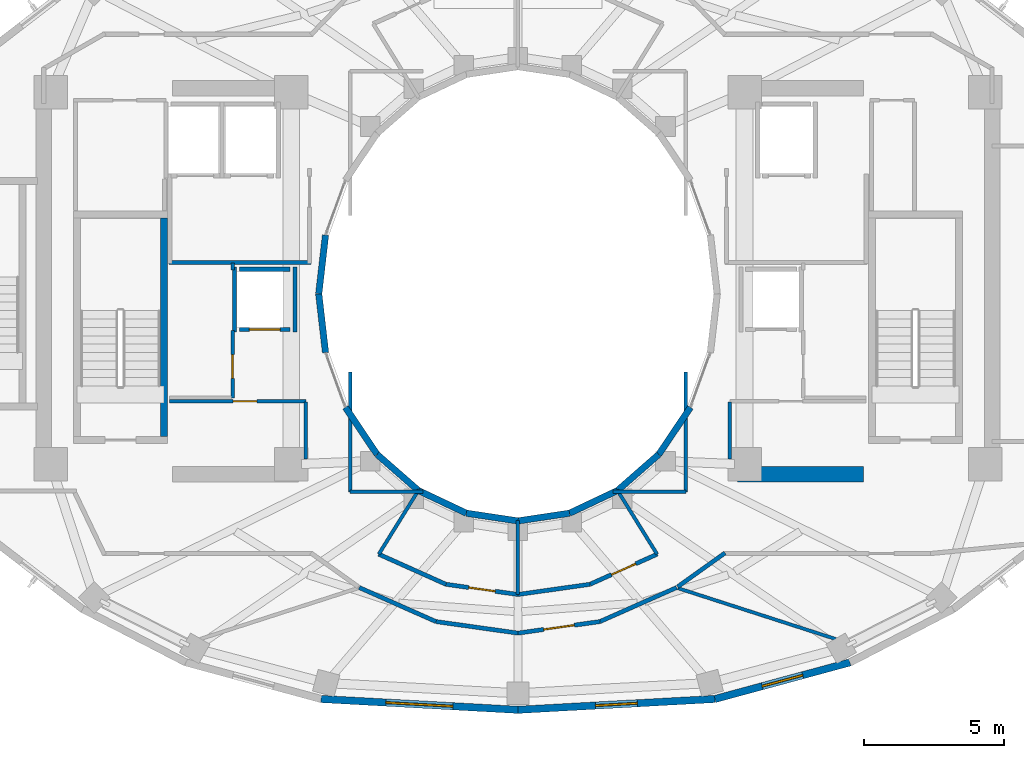
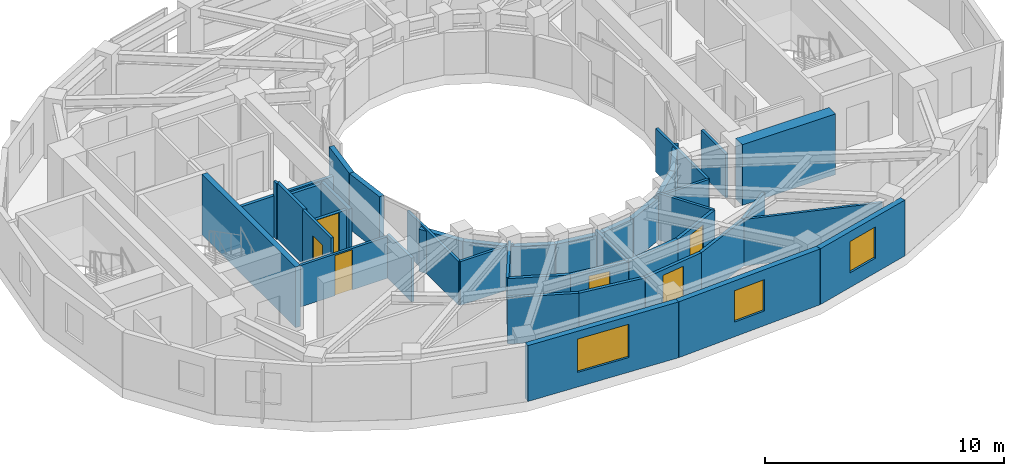
# One storey, part 13 of 19: 42 walls, 6 doors, 3 windows, 9 openings.
"""IFC4 building model written with IfcOpenShell, lengths in metres."""

import ifcopenshell
import ifcopenshell.guid

model = None  # the IFC model being written
_history = None  # IfcOwnerHistory: only IFC2X3 demands one
_inside = {}  # id of a spatial element -> (the spatial element, [elements in it])
_under = {}  # id of a project, library or spatial element -> (it, [spatial elements below it])
_declared = {}  # id of a project -> (the project, [libraries it declares])
_typed = {}  # id of a type object -> (the type object, [elements of that type])
_made_of = {}  # id of a material, layer set ... -> (it, [elements and type objects made of it])


def new_model(schema):
    """Start an empty IFC model of exactly this schema.

    Asked for "IFC4X3", IfcOpenShell would pick the latest addendum, in which some entities
    have other attributes; the version numbers below select the first issue.
    IFC2X3 requires an IfcOwnerHistory on every rooted entity: one is made here for all.
    """
    global model, _history
    if schema == "IFC4X3":
        model = ifcopenshell.file(schema_version=(4, 3, 0, 0))
    else:
        model = ifcopenshell.file(schema=schema)
    _inside.clear()
    _under.clear()
    _declared.clear()
    _typed.clear()
    _made_of.clear()
    _history = None
    if model.schema == "IFC2X3":
        org = make("IfcOrganization", Name="unknown")
        user = make(
            "IfcPersonAndOrganization",
            ThePerson=make("IfcPerson", FamilyName="unknown"),
            TheOrganization=org,
        )
        app = make(
            "IfcApplication",
            ApplicationDeveloper=org,
            Version="unknown",
            ApplicationFullName="unknown",
            ApplicationIdentifier="unknown",
        )
        _history = make(
            "IfcOwnerHistory",
            OwningUser=user,
            OwningApplication=app,
            ChangeAction="ADDED",
            CreationDate=0,
        )
    return model


def make(cls, **values):
    """One entity of the class cls with the attributes given. An attribute that is None is left unset."""
    return model.create_entity(
        cls, **{name: value for name, value in values.items() if value is not None}
    )


def rooted(cls, **values):
    """An entity with a GlobalId (a new one), such as an element, a storey or a relation."""
    return make(cls, GlobalId=ifcopenshell.guid.new(), OwnerHistory=_history, **values)


def si_unit(unit_type, name, prefix=None):
    """IfcSIUnit, for example si_unit("LENGTHUNIT", "METRE", prefix="MILLI")."""
    return make("IfcSIUnit", UnitType=unit_type, Prefix=prefix, Name=name)


def assignment(units):
    """IfcUnitAssignment: the units of a project."""
    return None if units is None else make("IfcUnitAssignment", Units=units)


def point(xyz):
    """IfcCartesianPoint."""
    return None if xyz is None else make("IfcCartesianPoint", Coordinates=xyz)


def direction(xyz):
    """IfcDirection."""
    return None if xyz is None else make("IfcDirection", DirectionRatios=xyz)


def frame(location, z_axis=None, x_axis=None):
    """IfcAxis2Placement3D, a coordinate frame: its origin and axes. An axis left out is left unset."""
    return make(
        "IfcAxis2Placement3D",
        Location=point(location),
        Axis=direction(z_axis),
        RefDirection=direction(x_axis),
    )


def frame_2d(location, x_axis=None):
    """IfcAxis2Placement2D, a coordinate frame in the plane: its origin and x axis."""
    return make(
        "IfcAxis2Placement2D", Location=point(location), RefDirection=direction(x_axis)
    )


def origin():
    """The frame at (0, 0, 0) with its axes left unset."""
    return frame((0.0, 0.0, 0.0))


def place(relative_to, where):
    """IfcLocalPlacement: puts the frame where relative to a parent placement (None: the world)."""
    return make(
        "IfcLocalPlacement", PlacementRelTo=relative_to, RelativePlacement=where
    )


def context(
    kind, dimensions, precision=None, world=None, true_north=None, identifier=None
):
    """IfcGeometricRepresentationContext, for example the 3D "Model" context."""
    return make(
        "IfcGeometricRepresentationContext",
        ContextIdentifier=identifier,
        ContextType=kind,
        CoordinateSpaceDimension=dimensions,
        Precision=precision,
        WorldCoordinateSystem=world,
        TrueNorth=true_north,
    )


def subcontext(parent, identifier, kind, view, scale=None):
    """IfcGeometricRepresentationSubContext, for example "Body" below "Model"."""
    return make(
        "IfcGeometricRepresentationSubContext",
        ContextIdentifier=identifier,
        ContextType=kind,
        ParentContext=parent,
        TargetScale=scale,
        TargetView=view,
    )


def project(units=None, contexts=None):
    """IfcProject with its units and contexts."""
    return rooted(
        "IfcProject",
        Name="project",
        RepresentationContexts=contexts,
        UnitsInContext=assignment(units),
    )


def spatial(cls, under=None, at=None, **own):
    """A site, building, storey or space (cls), placed at a placement, below another one or the project."""
    s = rooted(cls, ObjectPlacement=at, **own)
    if under is not None:
        _under.setdefault(under.id(), (under, []))[1].append(s)
    return s


def profile(cls, at=None, kind="AREA", **sizes):
    """A parametric profile (cls). Its sizes go by their IFC names, for example OverallWidth=200.0."""
    return make(cls, ProfileType=kind, Position=at, **sizes)


def rectangle(**sizes):
    """IfcRectangleProfileDef."""
    return profile("IfcRectangleProfileDef", **sizes)


def extrude(swept, where, along, depth):
    """IfcExtrudedAreaSolid: the profile swept, set in the frame where, extruded along a direction by depth."""
    return make(
        "IfcExtrudedAreaSolid",
        SweptArea=swept,
        Position=where,
        ExtrudedDirection=direction(along),
        Depth=depth,
    )


def shape(context_of_items, identifier, shape_type, items):
    """IfcShapeRepresentation: the items that make up one representation, for example the "Body"."""
    return make(
        "IfcShapeRepresentation",
        ContextOfItems=context_of_items,
        RepresentationIdentifier=identifier,
        RepresentationType=shape_type,
        Items=items,
    )


def material(Name=None, Category=None):
    """IfcMaterial."""
    return make("IfcMaterial", Name=Name, Category=Category)


def layer(
    of_material, thickness, ventilated=None, Name=None, Category=None, Priority=None
):
    """IfcMaterialLayer: one layer of a wall or slab, of a material (None: an air gap)."""
    return make(
        "IfcMaterialLayer",
        Material=of_material,
        LayerThickness=thickness,
        IsVentilated=ventilated,
        Name=Name,
        Category=Category,
        Priority=Priority,
    )


def layer_set(layers, Name=None):
    """IfcMaterialLayerSet."""
    return make("IfcMaterialLayerSet", MaterialLayers=layers, LayerSetName=Name)


def made_of(thing, what):
    """Note that an element or type object is made of a material, layer set ...; save() writes the relation."""
    if what is not None:
        _made_of.setdefault(what.id(), (what, []))[1].append(thing)
    return thing


def type_object(cls, material=None, **own):
    """A type object (cls), such as IfcWallType, which elements share."""
    return made_of(rooted(cls, **own), material)


def element(
    cls,
    number,
    at=None,
    inside=None,
    cuts=None,
    type_object=None,
    material=None,
    context=None,
    identifier="Body",
    shape_type=None,
    held_by="IfcProductDefinitionShape",
    body=None,
    shapes=None,
    **own,
):
    """One element of the class cls, such as IfcWall. Its Tag is "e" and its number.

    at: its placement. inside: the storey or other place that contains it. cuts: it is an
    opening in that element (IfcRelVoidsElement). A single representation is given by context,
    identifier, shape_type and body (its items); several are given by shapes. held_by: the class
    of the entity that holds the representations. save() writes the other relations.
    """
    e = rooted(cls, Tag="e%d" % number, ObjectPlacement=at, **own)
    if body is not None:
        shapes = [shape(context, identifier, shape_type, body)]
    if shapes is not None:
        e.Representation = make(held_by, Representations=shapes)
    if inside is not None:
        _inside.setdefault(inside.id(), (inside, []))[1].append(e)
    if cuts is not None:
        rooted(
            "IfcRelVoidsElement", RelatingBuildingElement=cuts, RelatedOpeningElement=e
        )
    if type_object is not None:
        _typed.setdefault(type_object.id(), (type_object, []))[1].append(e)
    return made_of(e, material)


def fill(opening, filler):
    """IfcRelFillsElement: the door or window that sits in an opening."""
    return rooted(
        "IfcRelFillsElement",
        RelatingOpeningElement=opening,
        RelatedBuildingElement=filler,
    )


def aggregate(whole, parts):
    """IfcRelAggregates: a whole, such as a stair, and the parts it consists of."""
    return rooted("IfcRelAggregates", RelatingObject=whole, RelatedObjects=parts)


def save(model, path):
    """Write the relations noted so far, then the file.

    IfcRelAggregates (storeys below a building ...), IfcRelContainedInSpatialStructure (elements
    in a storey), IfcRelDefinesByType, IfcRelAssociatesMaterial and IfcRelDeclares: one each for
    every whole, place, type object, material and project.
    """
    for whole, parts in _under.values():
        aggregate(whole, parts)
    for where, things in _inside.values():
        rooted(
            "IfcRelContainedInSpatialStructure",
            RelatedElements=things,
            RelatingStructure=where,
        )
    for kind, things in _typed.values():
        rooted("IfcRelDefinesByType", RelatedObjects=things, RelatingType=kind)
    for what, things in _made_of.values():
        rooted("IfcRelAssociatesMaterial", RelatedObjects=things, RelatingMaterial=what)
    for by, libraries in _declared.values():
        rooted("IfcRelDeclares", RelatingContext=by, RelatedDefinitions=libraries)
    model.write(path)


model = new_model("IFC4")

# Units and contexts
model_context = context("Model", 3, precision=1e-05, world=origin(), true_north=direction((0.0, 1.0)))
body_context = subcontext(model_context, "Body", "Model", "MODEL_VIEW")
ifc_project = project(units=[si_unit("LENGTHUNIT", "METRE"), si_unit("AREAUNIT", "SQUARE_METRE"), si_unit("VOLUMEUNIT", "CUBIC_METRE"), si_unit("PLANEANGLEUNIT", "RADIAN"), si_unit("MASSUNIT", "GRAM", prefix="KILO")], contexts=[model_context])

# Site, building, storey
site_placement = place(None, origin())
site = spatial("IfcSite", under=ifc_project, at=site_placement, CompositionType="ELEMENT")
building_placement = place(site_placement, origin())
building = spatial("IfcBuilding", under=site, at=building_placement, Name="Solvane Sanctuary Tower", CompositionType="ELEMENT")
storey_placement = place(building_placement, frame((0.0, 0.0, 201.60009765625)))
storey = spatial("IfcBuildingStorey", under=building, at=storey_placement, Name="L61", CompositionType="ELEMENT", Elevation=201.60009765625)

# Walls
ifc_material_1 = material(Name="Concrete C50/60", Category="concrete")
ifc_layer_1 = layer(ifc_material_1, 0.550048828125, Name="Concrete C50/60")
ifc_layer_set_1 = layer_set([ifc_layer_1], Name="Concrete C50/60")
wall_type_1 = type_object("IfcWallType", Name="Wall W-CORE-550", PredefinedType="SHEAR", material=ifc_layer_set_1)
wall_1_placement = place(storey_placement, frame((39.85009765625, 16.550048828125, 0.0), z_axis=(0.0, 0.0, 1.0), x_axis=(1.0, 0.0, 0.0)))
element("IfcWall", 1, at=wall_1_placement, inside=storey, type_object=wall_type_1, Name="L61 Core Shear Wall EC-S", PredefinedType="SHEAR", context=body_context, shape_type="SweptSolid", body=[
    extrude(rectangle(XDim=4.5, YDim=0.550048828125, at=frame_2d((2.25, 0.0))), origin(), (0.0, 0.0, 1.0), 3.099853515625),
])
ifc_material_2 = material(Name="Acoustic Gypsum Partition Board")
ifc_layer_2 = layer(ifc_material_2, 0.14990234375, Name="Acoustic Gypsum Partition Board")
ifc_layer_set_2 = layer_set([ifc_layer_2], Name="Acoustic Gypsum Partition Board")
wall_type_2 = type_object("IfcWallType", Name="Wall W-CORR-150", PredefinedType="PARTITIONING", material=ifc_layer_set_2)
wall_2_placement = place(storey_placement, frame((19.52001953125, 24.1201171875, 0.0), z_axis=(0.0, 0.0, 1.0), x_axis=(1.0, 0.0, 0.0)))
element("IfcWall", 2, at=wall_2_placement, inside=storey, type_object=wall_type_2, Name="L61 West Firefighting Lobby South Wall", PredefinedType="PARTITIONING", context=body_context, shape_type="SweptSolid", body=[
    extrude(rectangle(XDim=5.080078125, YDim=0.14990234375, at=frame_2d((2.5400390625, 0.0))), origin(), (0.0, 0.0, 1.0), 2.119873046875),
])
wall_3_placement = place(storey_placement, frame((27.01904296875, 13.694091796875, 0.0), z_axis=(0.0, 0.0, 1.0), x_axis=(0.912628408652, -0.408790151203, 0.0)))
element("IfcWall", 3, at=wall_3_placement, inside=storey, type_object=wall_type_2, Name="L61 South Light-Well Corridor Wall 1", PredefinedType="PARTITIONING", context=body_context, shape_type="SweptSolid", body=[
    extrude(rectangle(XDim=2.637939453125, YDim=0.14990234375, at=frame_2d((1.31884765625, 0.0))), origin(), (0.0, 0.0, 1.0), 2.3759765625),
])

# Wall, opening, door
wall_4_placement = place(storey_placement, frame((29.423095703125, 12.61669921875, 0.0), z_axis=(0.0, 0.0, 1.0), x_axis=(0.990078185178, -0.140517569133, 0.0)))
wall_4 = element("IfcWall", 4, at=wall_4_placement, inside=storey, type_object=wall_type_2, Name="L61 South Light-Well Corridor Wall 1", PredefinedType="PARTITIONING", context=body_context, shape_type="SweptSolid", body=[
    extrude(rectangle(XDim=2.609619140625, YDim=0.14990234375, at=frame_2d((1.3046875, 0.0))), origin(), (0.0, 0.0, 1.0), 2.3759765625),
])
opening_1_placement = place(wall_4_placement, frame((0.829833984375, 0.0, 0.0)))
opening_1 = element("IfcOpeningElement", 5, at=opening_1_placement, cuts=wall_4, Name="Opening D-L61-14", PredefinedType="OPENING", context=body_context, shape_type="SweptSolid", body=[
    extrude(rectangle(XDim=0.949951171875, YDim=2.10009765625, at=frame_2d((0.47509765625, 1.050048828125))), frame((0.0, 0.0849609375, 0.0), z_axis=(0.0, -1.0, 0.0), x_axis=(1.0, 0.0, 0.0)), (0.0, 0.0, 1.0), 0.169921875),
])
ifc_material_3 = material(Name="Engineered Tropical Hardwood", Category="wood")
door_type_1 = type_object("IfcDoorType", Name="Door D-ROOM-950", OperationType="NOTDEFINED", PredefinedType="DOOR", material=ifc_material_3)
door_1_placement = place(opening_1_placement, origin())
door_1 = element("IfcDoor", 6, at=door_1_placement, inside=storey, type_object=door_type_1, Name="L61 South Light-Well Alcove Door 1", OperationType="SINGLE_SWING_RIGHT", OverallHeight=2.10009765625, OverallWidth=0.949951171875, PredefinedType="DOOR", context=body_context, shape_type="SweptSolid", body=[
    extrude(rectangle(XDim=0.949951171875, YDim=2.10009765625, at=frame_2d((0.47509765625, 1.050048828125))), frame((0.0, 0.02490234375, 0.0), z_axis=(0.0, -1.0, 0.0), x_axis=(1.0, 0.0, 0.0)), (0.0, 0.0, 1.0), 0.050048828125),
])
fill(opening_1, door_1)

# Wall
wall_5_placement = place(storey_placement, frame((31.9931640625, 12.25, 0.0), z_axis=(0.0, 0.0, 1.0), x_axis=(0.990078185178, 0.140517569133, 0.0)))
element("IfcWall", 7, at=wall_5_placement, inside=storey, type_object=wall_type_2, Name="L61 South Light-Well Corridor Wall 2", PredefinedType="PARTITIONING", context=body_context, shape_type="SweptSolid", body=[
    extrude(rectangle(XDim=2.609619140625, YDim=0.14990234375, at=frame_2d((1.3046875, 0.0))), origin(), (0.0, 0.0, 1.0), 2.3759765625),
])

# Wall, opening, door
wall_6_placement = place(storey_placement, frame((34.573486328125, 12.61572265625, 0.0), z_axis=(0.0, 0.0, 1.0), x_axis=(0.912628408652, 0.408790151203, 0.0)))
wall_6 = element("IfcWall", 8, at=wall_6_placement, inside=storey, type_object=wall_type_2, Name="L61 South Light-Well Corridor Wall 2", PredefinedType="PARTITIONING", context=body_context, shape_type="SweptSolid", body=[
    extrude(rectangle(XDim=2.637939453125, YDim=0.14990234375, at=frame_2d((1.31884765625, 0.0))), origin(), (0.0, 0.0, 1.0), 2.3759765625),
])
opening_2_placement = place(wall_6_placement, frame((0.843994140625, 0.0, 0.0)))
opening_2 = element("IfcOpeningElement", 9, at=opening_2_placement, cuts=wall_6, Name="Opening D-L61-15", PredefinedType="OPENING", context=body_context, shape_type="SweptSolid", body=[
    extrude(rectangle(XDim=0.949951171875, YDim=2.10009765625, at=frame_2d((0.47509765625, 1.050048828125))), frame((0.0, 0.0849609375, 0.0), z_axis=(0.0, -1.0, 0.0), x_axis=(1.0, 0.0, 0.0)), (0.0, 0.0, 1.0), 0.169921875),
])
door_2_placement = place(opening_2_placement, origin())
door_2 = element("IfcDoor", 10, at=door_2_placement, inside=storey, type_object=door_type_1, Name="L61 South Light-Well Alcove Door 2", OperationType="SINGLE_SWING_LEFT", OverallHeight=2.10009765625, OverallWidth=0.949951171875, PredefinedType="DOOR", context=body_context, shape_type="SweptSolid", body=[
    extrude(rectangle(XDim=0.949951171875, YDim=2.10009765625, at=frame_2d((0.47509765625, 1.050048828125))), frame((0.0, 0.02490234375, 0.0), z_axis=(0.0, -1.0, 0.0), x_axis=(1.0, 0.0, 0.0)), (0.0, 0.0, 1.0), 0.050048828125),
])
fill(opening_2, door_2)

# Walls
wall_7_placement = place(storey_placement, frame((37.709716796875, 12.527099609375, 0.0), z_axis=(0.0, 0.0, 1.0), x_axis=(0.813780999276, 0.581171648669, 0.0)))
element("IfcWall", 11, at=wall_7_placement, inside=storey, type_object=wall_type_2, Name="L61 SE Corner Throat Wall", PredefinedType="PARTITIONING", context=body_context, shape_type="SweptSolid", body=[
    extrude(rectangle(XDim=2.082275390625, YDim=0.14990234375, at=frame_2d((1.041015625, 0.0))), origin(), (0.0, 0.0, 1.0), 2.3759765625),
])
wall_8_placement = place(storey_placement, frame((26.328125, 12.499267578125, 0.0), z_axis=(0.0, 0.0, 1.0), x_axis=(0.914043013008, -0.4056172708, 0.0)))
element("IfcWall", 12, at=wall_8_placement, inside=storey, type_object=wall_type_2, Name="L61 Sky Promenade Corridor Wall S1", PredefinedType="PARTITIONING", context=body_context, shape_type="SweptSolid", body=[
    extrude(rectangle(XDim=2.999267578125, YDim=0.14990234375, at=frame_2d((1.49951171875, 0.0))), origin(), (0.0, 0.0, 1.0), 2.3759765625),
])
wall_9_placement = place(storey_placement, frame((29.065673828125, 11.283935546875, 0.0), z_axis=(0.0, 0.0, 1.0), x_axis=(0.990214490255, -0.139553800697, 0.0)))
element("IfcWall", 13, at=wall_9_placement, inside=storey, type_object=wall_type_2, Name="L61 Sky Promenade Corridor Wall S1", PredefinedType="PARTITIONING", context=body_context, shape_type="SweptSolid", body=[
    extrude(rectangle(XDim=2.96533203125, YDim=0.14990234375, at=frame_2d((1.482666015625, 0.0))), origin(), (0.0, 0.0, 1.0), 2.3759765625),
])

# Wall, opening, door
wall_10_placement = place(storey_placement, frame((31.998046875, 10.8701171875, 0.0), z_axis=(0.0, 0.0, 1.0), x_axis=(0.990214490255, 0.139553800697, 0.0)))
wall_10 = element("IfcWall", 14, at=wall_10_placement, inside=storey, type_object=wall_type_2, Name="L61 Sky Promenade Corridor Wall S1", PredefinedType="PARTITIONING", context=body_context, shape_type="SweptSolid", body=[
    extrude(rectangle(XDim=2.96533203125, YDim=0.14990234375, at=frame_2d((1.482666015625, 0.0))), origin(), (0.0, 0.0, 1.0), 2.3759765625),
])
opening_3_placement = place(wall_10_placement, frame((0.9326171875, 0.0, 0.0)))
opening_3 = element("IfcOpeningElement", 15, at=opening_3_placement, cuts=wall_10, Name="Opening D-L61-22", PredefinedType="OPENING", context=body_context, shape_type="SweptSolid", body=[
    extrude(rectangle(XDim=1.10009765625, YDim=2.10009765625, at=frame_2d((0.550048828125, 1.050048828125))), frame((0.0, 0.0849609375, 0.0), z_axis=(0.0, -1.0, 0.0), x_axis=(1.0, 0.0, 0.0)), (0.0, 0.0, 1.0), 0.169921875),
])
ifc_material_4 = material(Name="Architectural Stainless Steel 316", Category="steel")
door_type_2 = type_object("IfcDoorType", Name="Door D-FFL", OperationType="NOTDEFINED", PredefinedType="DOOR", material=ifc_material_4)
door_3_placement = place(opening_3_placement, origin())
door_3 = element("IfcDoor", 16, at=door_3_placement, inside=storey, type_object=door_type_2, Name="L61 Sky Hall Entrance Door S1", OperationType="SINGLE_SWING_RIGHT", OverallHeight=2.10009765625, OverallWidth=1.10009765625, PredefinedType="DOOR", context=body_context, shape_type="SweptSolid", body=[
    extrude(rectangle(XDim=1.10009765625, YDim=2.10009765625, at=frame_2d((0.550048828125, 1.050048828125))), frame((0.0, 0.02490234375, 0.0), z_axis=(0.0, -1.0, 0.0), x_axis=(1.0, 0.0, 0.0)), (0.0, 0.0, 1.0), 0.050048828125),
])
fill(opening_3, door_3)

# Wall
wall_11_placement = place(storey_placement, frame((34.930419921875, 11.28271484375, 0.0), z_axis=(0.0, 0.0, 1.0), x_axis=(0.914043013008, 0.4056172708, 0.0)))
element("IfcWall", 17, at=wall_11_placement, inside=storey, type_object=wall_type_2, Name="L61 Sky Promenade Corridor Wall S1", PredefinedType="PARTITIONING", context=body_context, shape_type="SweptSolid", body=[
    extrude(rectangle(XDim=2.999267578125, YDim=0.14990234375, at=frame_2d((1.49951171875, 0.0))), origin(), (0.0, 0.0, 1.0), 2.3759765625),
])

# Wall, opening, window
ifc_material_5 = material(Name="Precast concrete C40/50", Category="concrete")
ifc_layer_3 = layer(ifc_material_5, 0.260009765625, Name="Precast concrete C40/50")
ifc_layer_set_3 = layer_set([ifc_layer_3], Name="Precast concrete C40/50")
wall_type_3 = type_object("IfcWallType", Name="Wall W-EXT-250", PredefinedType="STANDARD", material=ifc_layer_set_3)
wall_12_placement = place(storey_placement, frame((24.95703125, 8.515380859375, 0.0), z_axis=(0.0, 0.0, 1.0), x_axis=(0.998490239527, -0.054929423535, 0.0)))
wall_12 = element("IfcWall", 18, at=wall_12_placement, inside=storey, type_object=wall_type_3, Name="L61 Ceramic-Printed Facade Wall 17", PredefinedType="STANDARD", context=body_context, shape_type="SweptSolid", body=[
    extrude(rectangle(XDim=7.0537109375, YDim=0.260009765625, at=frame_2d((3.52685546875, 0.0))), origin(), (0.0, 0.0, 1.0), 2.849853515625),
])
opening_4_placement = place(wall_12_placement, frame((2.326904296875, 0.0, 0.75)))
opening_4 = element("IfcOpeningElement", 19, at=opening_4_placement, cuts=wall_12, Name="Opening WN-RIB-2400", PredefinedType="OPENING", context=body_context, shape_type="SweptSolid", body=[
    extrude(rectangle(XDim=2.39990234375, YDim=1.699951171875, at=frame_2d((1.199951171875, 0.85009765625))), frame((0.0, 0.139892578125, 0.0), z_axis=(0.0, -1.0, 0.0), x_axis=(1.0, 0.0, 0.0)), (0.0, 0.0, 1.0), 0.280029296875),
])
ifc_material_6 = material(Name="Dark Ceramic-Fritted Low-E Glass", Category="glass")
window_type_1 = type_object("IfcWindowType", Name="Window WN-RIB-2400", PartitioningType="SINGLE_PANEL", PredefinedType="WINDOW", material=ifc_material_6)
window_1_placement = place(opening_4_placement, origin())
window_1 = element("IfcWindow", 20, at=window_1_placement, inside=storey, type_object=window_type_1, Name="L61 Operable Facade Window 17", OverallHeight=1.699951171875, OverallWidth=2.39990234375, PartitioningType="SINGLE_PANEL", PredefinedType="WINDOW", context=body_context, shape_type="SweptSolid", body=[
    extrude(rectangle(XDim=2.39990234375, YDim=1.699951171875, at=frame_2d((1.199951171875, 0.85009765625))), frame((0.0, 0.030029296875, 0.0), z_axis=(0.0, -1.0, 0.0), x_axis=(1.0, 0.0, 0.0)), (0.0, 0.0, 1.0), 0.06005859375),
])
fill(opening_4, window_1)

wall_13_placement = place(storey_placement, frame((32.0, 8.1279296875, 0.0), z_axis=(0.0, 0.0, 1.0), x_axis=(0.998490239527, 0.054929423535, 0.0)))
wall_13 = element("IfcWall", 21, at=wall_13_placement, inside=storey, type_object=wall_type_3, Name="L61 Ceramic-Printed Facade Wall 18", PredefinedType="STANDARD", context=body_context, shape_type="SweptSolid", body=[
    extrude(rectangle(XDim=7.0537109375, YDim=0.260009765625, at=frame_2d((3.52685546875, 0.0))), origin(), (0.0, 0.0, 1.0), 2.849853515625),
])
opening_5_placement = place(wall_13_placement, frame((2.77685546875, 0.0, 0.75)))
opening_5 = element("IfcOpeningElement", 22, at=opening_5_placement, cuts=wall_13, Name="Opening WN-OPER-1500", PredefinedType="OPENING", context=body_context, shape_type="SweptSolid", body=[
    extrude(rectangle(XDim=1.5, YDim=1.60009765625, at=frame_2d((0.75, 0.800048828125))), frame((0.0, 0.139892578125, 0.0), z_axis=(0.0, -1.0, 0.0), x_axis=(1.0, 0.0, 0.0)), (0.0, 0.0, 1.0), 0.280029296875),
])
window_type_2 = type_object("IfcWindowType", Name="Window WN-OPER-1500", PartitioningType="SINGLE_PANEL", PredefinedType="WINDOW", material=ifc_material_6)
window_2_placement = place(opening_5_placement, origin())
window_2 = element("IfcWindow", 23, at=window_2_placement, inside=storey, type_object=window_type_2, Name="L61 Operable Facade Window 18", OverallHeight=1.60009765625, OverallWidth=1.5, PartitioningType="SINGLE_PANEL", PredefinedType="WINDOW", context=body_context, shape_type="SweptSolid", body=[
    extrude(rectangle(XDim=1.5, YDim=1.60009765625, at=frame_2d((0.75, 0.800048828125))), frame((0.0, 0.030029296875, 0.0), z_axis=(0.0, -1.0, 0.0), x_axis=(1.0, 0.0, 0.0)), (0.0, 0.0, 1.0), 0.06005859375),
])
fill(opening_5, window_2)

wall_14_placement = place(storey_placement, frame((39.04296875, 8.515380859375, 0.0), z_axis=(0.0, 0.0, 1.0), x_axis=(0.965213026382, 0.261464746576, 0.0)))
wall_14 = element("IfcWall", 24, at=wall_14_placement, inside=storey, type_object=wall_type_3, Name="L61 Ceramic-Printed Facade Wall 19", PredefinedType="STANDARD", context=body_context, shape_type="SweptSolid", body=[
    extrude(rectangle(XDim=5.001220703125, YDim=0.260009765625, at=frame_2d((2.50048828125, 0.0))), origin(), (0.0, 0.0, 1.0), 2.849853515625),
])
opening_6_placement = place(wall_14_placement, frame((1.75048828125, 0.0, 0.75)))
opening_6 = element("IfcOpeningElement", 25, at=opening_6_placement, cuts=wall_14, Name="Opening WN-OPER-1500", PredefinedType="OPENING", context=body_context, shape_type="SweptSolid", body=[
    extrude(rectangle(XDim=1.5, YDim=1.60009765625, at=frame_2d((0.75, 0.800048828125))), frame((0.0, 0.139892578125, 0.0), z_axis=(0.0, -1.0, 0.0), x_axis=(1.0, 0.0, 0.0)), (0.0, 0.0, 1.0), 0.280029296875),
])
window_3_placement = place(opening_6_placement, origin())
window_3 = element("IfcWindow", 26, at=window_3_placement, inside=storey, type_object=window_type_2, Name="L61 Operable Facade Window 19", OverallHeight=1.60009765625, OverallWidth=1.5, PartitioningType="SINGLE_PANEL", PredefinedType="WINDOW", context=body_context, shape_type="SweptSolid", body=[
    extrude(rectangle(XDim=1.5, YDim=1.60009765625, at=frame_2d((0.75, 0.800048828125))), frame((0.0, 0.030029296875, 0.0), z_axis=(0.0, -1.0, 0.0), x_axis=(1.0, 0.0, 0.0)), (0.0, 0.0, 1.0), 0.06005859375),
])
fill(opening_6, window_3)

# Walls
ifc_layer_4 = layer(ifc_material_5, 0.22998046875, Name="Precast concrete C40/50")
ifc_layer_set_4 = layer_set([ifc_layer_4], Name="Precast concrete C40/50")
wall_type_4 = type_object("IfcWallType", Name="Wall W-EXT-SP220", PredefinedType="STANDARD", material=ifc_layer_set_4)
for number, where, z_axis, x_axis, name in (
    (27, (25.12255859375, 25.1015625, 0.0), (0.0, 0.0, 1.0), (-0.114711713601, -0.993398823617, 0.0), "L61 Central Light-Well Wall 11"),
    (28, (24.8798828125, 23.0, 0.0), (0.0, 0.0, 1.0), (0.114711713601, -0.993398823617, 0.0), "L61 Central Light-Well Wall 12"),
):
    element("IfcWall", number, at=place(storey_placement, frame(where, z_axis=z_axis, x_axis=x_axis)), inside=storey, type_object=wall_type_4, Name=name, PredefinedType="STANDARD", context=body_context, shape_type="SweptSolid", body=[
        extrude(rectangle(XDim=2.115478515625, YDim=0.22998046875, at=frame_2d((1.0576171875, 0.0))), origin(), (0.0, 0.0, 1.0), 2.83984375),
    ])
wall_15_placement = place(storey_placement, frame((25.833984375, 18.93994140625, 0.0), z_axis=(0.0, 0.0, 1.0), x_axis=(0.558197800898, -0.829707909492, 0.0)))
element("IfcWall", 29, at=wall_15_placement, inside=storey, type_object=wall_type_4, Name="L61 Central Light-Well Wall 14", PredefinedType="STANDARD", context=body_context, shape_type="SweptSolid", body=[
    extrude(rectangle(XDim=2.02685546875, YDim=0.22998046875, at=frame_2d((1.013427734375, 0.0))), origin(), (0.0, 0.0, 1.0), 2.159912109375),
])
wall_16_placement = place(storey_placement, frame((26.96533203125, 17.25830078125, 0.0), z_axis=(0.0, 0.0, 1.0), x_axis=(0.752576694707, -0.658504607869, 0.0)))
element("IfcWall", 30, at=wall_16_placement, inside=storey, type_object=wall_type_4, Name="L61 Central Light-Well Wall 15", PredefinedType="STANDARD", context=body_context, shape_type="SweptSolid", body=[
    extrude(rectangle(XDim=1.95947265625, YDim=0.22998046875, at=frame_2d((0.979736328125, 0.0))), origin(), (0.0, 0.0, 1.0), 2.159912109375),
])
wall_17_placement = place(storey_placement, frame((28.43994140625, 15.968017578125, 0.0), z_axis=(0.0, 0.0, 1.0), x_axis=(0.904179699603, -0.427152280606, 0.0)))
element("IfcWall", 31, at=wall_17_placement, inside=storey, type_object=wall_type_4, Name="L61 Central Light-Well Wall 16", PredefinedType="STANDARD", context=body_context, shape_type="SweptSolid", body=[
    extrude(rectangle(XDim=1.899169921875, YDim=0.22998046875, at=frame_2d((0.94970703125, 0.0))), origin(), (0.0, 0.0, 1.0), 2.159912109375),
])
for number, where, z_axis, x_axis, name in (
    (32, (30.1572265625, 15.15673828125, 0.0), (0.0, 0.0, 1.0), (0.988901730308, -0.148571086668, 0.0), "L61 Central Light-Well Wall 17"),
    (33, (32.0, 14.8798828125, 0.0), (0.0, 0.0, 1.0), (0.988901730308, 0.148571086668, 0.0), "L61 Central Light-Well Wall 18"),
):
    element("IfcWall", number, at=place(storey_placement, frame(where, z_axis=z_axis, x_axis=x_axis)), inside=storey, type_object=wall_type_4, Name=name, PredefinedType="STANDARD", context=body_context, shape_type="SweptSolid", body=[
        extrude(rectangle(XDim=1.863525390625, YDim=0.22998046875, at=frame_2d((0.931640625, 0.0))), origin(), (0.0, 0.0, 1.0), 2.159912109375),
    ])
wall_18_placement = place(storey_placement, frame((33.8427734375, 15.15673828125, 0.0), z_axis=(0.0, 0.0, 1.0), x_axis=(0.904179699603, 0.427152280606, 0.0)))
element("IfcWall", 34, at=wall_18_placement, inside=storey, type_object=wall_type_4, Name="L61 Central Light-Well Wall 19", PredefinedType="STANDARD", context=body_context, shape_type="SweptSolid", body=[
    extrude(rectangle(XDim=1.899169921875, YDim=0.22998046875, at=frame_2d((0.94970703125, 0.0))), origin(), (0.0, 0.0, 1.0), 2.159912109375),
])
wall_19_placement = place(storey_placement, frame((35.56005859375, 15.968017578125, 0.0), z_axis=(0.0, 0.0, 1.0), x_axis=(0.752576694707, 0.658504607869, 0.0)))
element("IfcWall", 35, at=wall_19_placement, inside=storey, type_object=wall_type_4, Name="L61 Central Light-Well Wall 20", PredefinedType="STANDARD", context=body_context, shape_type="SweptSolid", body=[
    extrude(rectangle(XDim=1.95947265625, YDim=0.22998046875, at=frame_2d((0.979736328125, 0.0))), origin(), (0.0, 0.0, 1.0), 2.159912109375),
])
wall_20_placement = place(storey_placement, frame((37.03466796875, 17.25830078125, 0.0), z_axis=(0.0, 0.0, 1.0), x_axis=(0.558197800898, 0.829707909492, 0.0)))
element("IfcWall", 36, at=wall_20_placement, inside=storey, type_object=wall_type_4, Name="L61 Central Light-Well Wall 21", PredefinedType="STANDARD", context=body_context, shape_type="SweptSolid", body=[
    extrude(rectangle(XDim=2.02685546875, YDim=0.22998046875, at=frame_2d((1.013427734375, 0.0))), origin(), (0.0, 0.0, 1.0), 2.159912109375),
])
ifc_layer_5 = layer(ifc_material_2, 0.1201171875, Name="Acoustic Gypsum Partition Board")
ifc_layer_set_5 = layer_set([ifc_layer_5], Name="Acoustic Gypsum Partition Board")
wall_type_5 = type_object("IfcWallType", Name="Wall W-MOV-100", PredefinedType="MOVABLE", material=ifc_layer_set_5)
wall_21_placement = place(storey_placement, frame((37.71728515625, 12.478271484375, 0.0), z_axis=(0.0, 0.0, 1.0), x_axis=(0.951711719757, -0.306993163568, 0.0)))
element("IfcWall", 37, at=wall_21_placement, inside=storey, type_object=wall_type_5, Name="L61 Sky Hall Radial Partition 300", PredefinedType="MOVABLE", context=body_context, shape_type="SweptSolid", body=[
    extrude(rectangle(XDim=5.934326171875, YDim=0.1201171875, at=frame_2d((2.96728515625, 0.0))), origin(), (0.0, 0.0, 1.0), 2.3759765625),
])

# Wall, opening, door
ifc_layer_6 = layer(ifc_material_2, 0.125, Name="Acoustic Gypsum Partition Board")
ifc_layer_set_6 = layer_set([ifc_layer_6], Name="Acoustic Gypsum Partition Board")
wall_type_6 = type_object("IfcWallType", Name="Wall W-PART-125", PredefinedType="PARTITIONING", material=ifc_layer_set_6)
wall_22_placement = place(storey_placement, frame((19.550048828125, 19.159912109375, 0.0), z_axis=(0.0, 0.0, 1.0), x_axis=(1.0, 0.0, 0.0)))
wall_22 = element("IfcWall", 38, at=wall_22_placement, inside=storey, type_object=wall_type_6, Name="L61 Reclaimed Room Partition PLW", PredefinedType="PARTITIONING", context=body_context, shape_type="SweptSolid", body=[
    extrude(rectangle(XDim=4.869873046875, YDim=0.125, at=frame_2d((2.43505859375, 0.0))), origin(), (0.0, 0.0, 1.0), 2.119873046875),
])
opening_7_placement = place(wall_22_placement, frame((2.271728515625, 0.0, 0.0)))
opening_7 = element("IfcOpeningElement", 39, at=opening_7_placement, cuts=wall_22, Name="Opening D-L61-06", PredefinedType="OPENING", context=body_context, shape_type="SweptSolid", body=[
    extrude(rectangle(XDim=0.85009765625, YDim=2.050048828125, at=frame_2d((0.425048828125, 1.02490234375))), frame((0.0, 0.072509765625, 0.0), z_axis=(0.0, -1.0, 0.0), x_axis=(1.0, 0.0, 0.0)), (0.0, 0.0, 1.0), 0.14501953125),
])
door_type_3 = type_object("IfcDoorType", Name="Door D-RISER", OperationType="NOTDEFINED", PredefinedType="DOOR", material=ifc_material_4)
door_4_placement = place(opening_7_placement, origin())
door_4 = element("IfcDoor", 40, at=door_4_placement, inside=storey, type_object=door_type_3, Name="L61 Reclaimed Room Door PLW-1", OperationType="SINGLE_SWING_RIGHT", OverallHeight=2.050048828125, OverallWidth=0.85009765625, PredefinedType="DOOR", context=body_context, shape_type="SweptSolid", body=[
    extrude(rectangle(XDim=0.85009765625, YDim=2.050048828125, at=frame_2d((0.425048828125, 1.02490234375))), frame((0.0, 0.02490234375, 0.0), z_axis=(0.0, -1.0, 0.0), x_axis=(1.0, 0.0, 0.0)), (0.0, 0.0, 1.0), 0.050048828125),
])
fill(opening_7, door_4)

# Walls
for number, where, z_axis, x_axis, name in (
    (41, (24.419921875, 17.10009765625, 0.0), (0.0, 0.0, 1.0), (0.0, 1.0, 0.0), "L61 Reclaimed Room Closer Wall PLW-1"),
    (42, (39.580078125, 17.10009765625, 0.0), (0.0, 0.0, 1.0), (0.0, 1.0, 0.0), "L61 Reclaimed Room Closer Wall PLE-1"),
):
    element("IfcWall", number, at=place(storey_placement, frame(where, z_axis=z_axis, x_axis=x_axis)), inside=storey, type_object=wall_type_6, Name=name, PredefinedType="PARTITIONING", context=body_context, shape_type="SweptSolid", body=[
        extrude(rectangle(XDim=2.039794921875, YDim=0.125, at=frame_2d((1.02001953125, 0.0))), origin(), (0.0, 0.0, 1.0), 2.23193359375),
    ])

# Wall, opening, door
wall_23_placement = place(storey_placement, frame((21.800048828125, 19.280029296875, 0.0), z_axis=(0.0, 0.0, 1.0), x_axis=(0.0, 1.0, 0.0)))
wall_23 = element("IfcWall", 43, at=wall_23_placement, inside=storey, type_object=wall_type_6, Name="L61 Reclaimed Room Partition PMW", PredefinedType="PARTITIONING", context=body_context, shape_type="SweptSolid", body=[
    extrude(rectangle(XDim=2.39990234375, YDim=0.125, at=frame_2d((1.199951171875, 0.0))), origin(), (0.0, 0.0, 1.0), 2.85498046875),
])
opening_8_placement = place(wall_23_placement, frame((0.699951171875, 0.0, 0.0)))
opening_8 = element("IfcOpeningElement", 44, at=opening_8_placement, cuts=wall_23, Name="Opening D-L61-08", PredefinedType="OPENING", context=body_context, shape_type="SweptSolid", body=[
    extrude(rectangle(XDim=0.85009765625, YDim=2.050048828125, at=frame_2d((0.425048828125, 1.02490234375))), frame((0.0, 0.072509765625, 0.0), z_axis=(0.0, -1.0, 0.0), x_axis=(1.0, 0.0, 0.0)), (0.0, 0.0, 1.0), 0.14501953125),
])
door_5_placement = place(opening_8_placement, origin())
door_5 = element("IfcDoor", 45, at=door_5_placement, inside=storey, type_object=door_type_3, Name="L61 Reclaimed Room Door PMW-1", OperationType="SINGLE_SWING_RIGHT", OverallHeight=2.050048828125, OverallWidth=0.85009765625, PredefinedType="DOOR", context=body_context, shape_type="SweptSolid", body=[
    extrude(rectangle(XDim=0.85009765625, YDim=2.050048828125, at=frame_2d((0.425048828125, 1.02490234375))), frame((0.0, 0.02490234375, 0.0), z_axis=(0.0, -1.0, 0.0), x_axis=(1.0, 0.0, 0.0)), (0.0, 0.0, 1.0), 0.050048828125),
])
fill(opening_8, door_5)

# Walls
wall_24_placement = place(storey_placement, frame((21.800048828125, 23.85009765625, 0.0), z_axis=(0.0, 0.0, 1.0), x_axis=(0.0, 1.0, 0.0)))
element("IfcWall", 46, at=wall_24_placement, inside=storey, type_object=wall_type_6, Name="L61 Reclaimed Room Dividing Wall PMW", PredefinedType="PARTITIONING", context=body_context, shape_type="SweptSolid", body=[
    extrude(rectangle(XDim=0.25, YDim=0.125, at=frame_2d((0.125, 0.0))), origin(), (0.0, 0.0, 1.0), 2.85498046875),
])
wall_25_placement = place(storey_placement, frame((28.449951171875, 15.985107421875, 0.0), z_axis=(0.0, 0.0, 1.0), x_axis=(-0.527527080983, -0.849538215049, 0.0)))
element("IfcWall", 47, at=wall_25_placement, inside=storey, type_object=wall_type_6, Name="L61 South Light-Well Radial Wall 240", PredefinedType="PARTITIONING", context=body_context, shape_type="SweptSolid", body=[
    extrude(rectangle(XDim=2.701416015625, YDim=0.125, at=frame_2d((1.3505859375, 0.0))), origin(), (0.0, 0.0, 1.0), 2.3759765625),
])
wall_26_placement = place(storey_placement, frame((32.0, 14.89990234375, 0.0), z_axis=(0.0, 0.0, 1.0), x_axis=(0.0, -1.0, 0.0)))
element("IfcWall", 48, at=wall_26_placement, inside=storey, type_object=wall_type_6, Name="L61 South Light-Well Radial Wall 270", PredefinedType="PARTITIONING", context=body_context, shape_type="SweptSolid", body=[
    extrude(rectangle(XDim=2.64990234375, YDim=0.125, at=frame_2d((1.324951171875, 0.0))), origin(), (0.0, 0.0, 1.0), 2.3759765625),
])
wall_27_placement = place(storey_placement, frame((35.550048828125, 15.985107421875, 0.0), z_axis=(0.0, 0.0, 1.0), x_axis=(0.527527080983, -0.849538215049, 0.0)))
element("IfcWall", 49, at=wall_27_placement, inside=storey, type_object=wall_type_6, Name="L61 South Light-Well Radial Wall 300", PredefinedType="PARTITIONING", context=body_context, shape_type="SweptSolid", body=[
    extrude(rectangle(XDim=2.701416015625, YDim=0.125, at=frame_2d((1.3505859375, 0.0))), origin(), (0.0, 0.0, 1.0), 2.3759765625),
])
wall_28_placement = place(storey_placement, frame((26.0, 15.919921875, 0.0), z_axis=(0.0, 0.0, 1.0), x_axis=(0.0, 1.0, 0.0)))
element("IfcWall", 50, at=wall_28_placement, inside=storey, type_object=wall_type_6, Name="L61 Bridge Alcove Wall 5", PredefinedType="PARTITIONING", context=body_context, shape_type="SweptSolid", body=[
    extrude(rectangle(XDim=4.280029296875, YDim=0.125, at=frame_2d((2.14013671875, 0.0))), origin(), (0.0, 0.0, 1.0), 2.23193359375),
])
wall_29_placement = place(storey_placement, frame((26.0, 15.919921875, 0.0), z_axis=(0.0, 0.0, 1.0), x_axis=(1.0, 0.0, 0.0)))
element("IfcWall", 51, at=wall_29_placement, inside=storey, type_object=wall_type_6, Name="L61 Bridge Alcove Wall 6", PredefinedType="PARTITIONING", context=body_context, shape_type="SweptSolid", body=[
    extrude(rectangle(XDim=2.60009765625, YDim=0.125, at=frame_2d((1.300048828125, 0.0))), origin(), (0.0, 0.0, 1.0), 2.23193359375),
])
wall_30_placement = place(storey_placement, frame((38.0, 15.919921875, 0.0), z_axis=(0.0, 0.0, 1.0), x_axis=(0.0, 1.0, 0.0)))
element("IfcWall", 52, at=wall_30_placement, inside=storey, type_object=wall_type_6, Name="L61 Bridge Alcove Wall 7", PredefinedType="PARTITIONING", context=body_context, shape_type="SweptSolid", body=[
    extrude(rectangle(XDim=4.280029296875, YDim=0.125, at=frame_2d((2.14013671875, 0.0))), origin(), (0.0, 0.0, 1.0), 2.23193359375),
])
wall_31_placement = place(storey_placement, frame((35.39990234375, 15.919921875, 0.0), z_axis=(0.0, 0.0, 1.0), x_axis=(1.0, 0.0, 0.0)))
element("IfcWall", 53, at=wall_31_placement, inside=storey, type_object=wall_type_6, Name="L61 Bridge Alcove Wall 8", PredefinedType="PARTITIONING", context=body_context, shape_type="SweptSolid", body=[
    extrude(rectangle(XDim=2.60009765625, YDim=0.125, at=frame_2d((1.300048828125, 0.0))), origin(), (0.0, 0.0, 1.0), 2.23193359375),
])

# Wall, opening, door
ifc_layer_7 = layer(ifc_material_1, 0.14990234375, Name="Concrete C50/60")
ifc_layer_set_7 = layer_set([ifc_layer_7], Name="Concrete C50/60")
wall_type_7 = type_object("IfcWallType", Name="Wall W-SHAFT-150", PredefinedType="SOLIDWALL", material=ifc_layer_set_7)
wall_32_placement = place(storey_placement, frame((22.0400390625, 21.719970703125, 0.0), z_axis=(0.0, 0.0, 1.0), x_axis=(1.0, 0.0, 0.0)))
wall_32 = element("IfcWall", 54, at=wall_32_placement, inside=storey, type_object=wall_type_7, Name="L61 PH-1 Lift Shaft Wall F", PredefinedType="SOLIDWALL", context=body_context, shape_type="SweptSolid", body=[
    extrude(rectangle(XDim=1.820068359375, YDim=0.14990234375, at=frame_2d((0.91015625, 0.0))), origin(), (0.0, 0.0, 1.0), 2.119873046875),
])
opening_9_placement = place(wall_32_placement, frame((0.360107421875, 0.0, 0.0)))
opening_9 = element("IfcOpeningElement", 55, at=opening_9_placement, cuts=wall_32, Name="Opening LD-L61-01", PredefinedType="OPENING", context=body_context, shape_type="SweptSolid", body=[
    extrude(rectangle(XDim=1.10009765625, YDim=2.10009765625, at=frame_2d((0.550048828125, 1.050048828125))), frame((0.0, 0.0849609375, 0.0), z_axis=(0.0, -1.0, 0.0), x_axis=(1.0, 0.0, 0.0)), (0.0, 0.0, 1.0), 0.169921875),
])
door_type_4 = type_object("IfcDoorType", Name="Door LD-PASS-1100", OperationType="NOTDEFINED", PredefinedType="DOOR", material=ifc_material_4)
door_6_placement = place(opening_9_placement, origin())
door_6 = element("IfcDoor", 56, at=door_6_placement, inside=storey, type_object=door_type_4, Name="L61 PH-1 Lift Landing Door", OperationType="DOUBLE_DOOR_SLIDING", OverallHeight=2.10009765625, OverallWidth=1.10009765625, PredefinedType="DOOR", context=body_context, shape_type="SweptSolid", body=[
    extrude(rectangle(XDim=1.10009765625, YDim=2.10009765625, at=frame_2d((0.550048828125, 1.050048828125))), frame((0.0, 0.02490234375, 0.0), z_axis=(0.0, -1.0, 0.0), x_axis=(1.0, 0.0, 0.0)), (0.0, 0.0, 1.0), 0.050048828125),
])
fill(opening_9, door_6)

# Walls
wall_33_placement = place(storey_placement, frame((22.0400390625, 23.8798828125, 0.0), z_axis=(0.0, 0.0, 1.0), x_axis=(1.0, 0.0, 0.0)))
element("IfcWall", 57, at=wall_33_placement, inside=storey, type_object=wall_type_7, Name="L61 PH-1 Lift Shaft Wall B", PredefinedType="SOLIDWALL", context=body_context, shape_type="SweptSolid", body=[
    extrude(rectangle(XDim=1.820068359375, YDim=0.14990234375, at=frame_2d((0.91015625, 0.0))), origin(), (0.0, 0.0, 1.0), 2.119873046875),
])
wall_34_placement = place(storey_placement, frame((21.8701171875, 21.639892578125, 0.0), z_axis=(0.0, 0.0, 1.0), x_axis=(0.0, 1.0, 0.0)))
element("IfcWall", 58, at=wall_34_placement, inside=storey, type_object=wall_type_7, Name="L61 PH-1 Lift Shaft Wall S1", PredefinedType="SOLIDWALL", context=body_context, shape_type="SweptSolid", body=[
    extrude(rectangle(XDim=2.320068359375, YDim=0.14990234375, at=frame_2d((1.16015625, 0.0))), origin(), (0.0, 0.0, 1.0), 2.85498046875),
])
wall_35_placement = place(storey_placement, frame((24.030029296875, 21.639892578125, 0.0), z_axis=(0.0, 0.0, 1.0), x_axis=(0.0, 1.0, 0.0)))
element("IfcWall", 59, at=wall_35_placement, inside=storey, type_object=wall_type_7, Name="L61 PH-1 Lift Shaft Wall S2", PredefinedType="SOLIDWALL", context=body_context, shape_type="SweptSolid", body=[
    extrude(rectangle(XDim=2.320068359375, YDim=0.14990234375, at=frame_2d((1.16015625, 0.0))), origin(), (0.0, 0.0, 1.0), 2.119873046875),
])
ifc_layer_8 = layer(ifc_material_1, 0.25, Name="Concrete C50/60")
ifc_layer_set_8 = layer_set([ifc_layer_8], Name="Concrete C50/60")
wall_type_8 = type_object("IfcWallType", Name="Wall W-SHAFT-250", PredefinedType="SOLIDWALL", material=ifc_layer_set_8)
wall_36_placement = place(storey_placement, frame((19.35009765625, 17.89501953125, 0.0), z_axis=(0.0, 0.0, 1.0), x_axis=(0.0, 1.0, 0.0)))
element("IfcWall", 60, at=wall_36_placement, inside=storey, type_object=wall_type_8, Name="L61 ST-1 Load-Bearing Shaft Wall E", PredefinedType="SOLIDWALL", context=body_context, shape_type="SweptSolid", body=[
    extrude(rectangle(XDim=7.81005859375, YDim=0.25, at=frame_2d((3.905029296875, 0.0))), origin(), (0.0, 0.0, 1.0), 3.099853515625),
])

save(model, "model.ifc")
